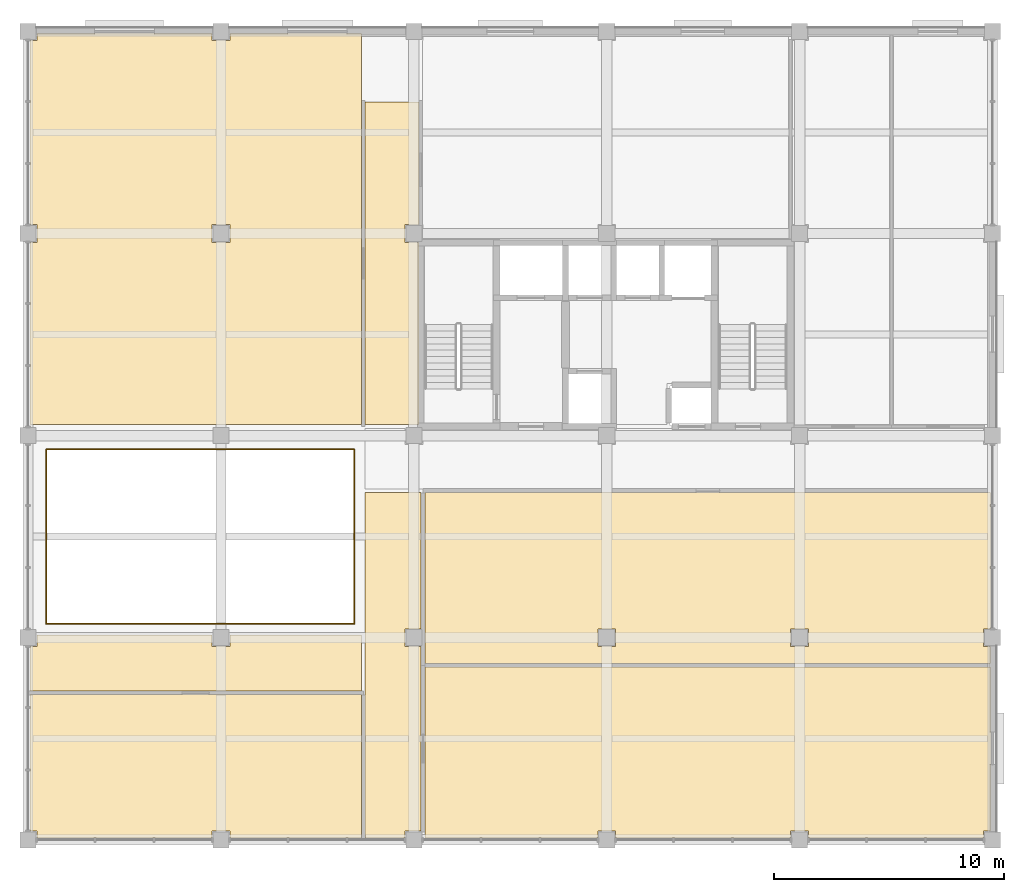
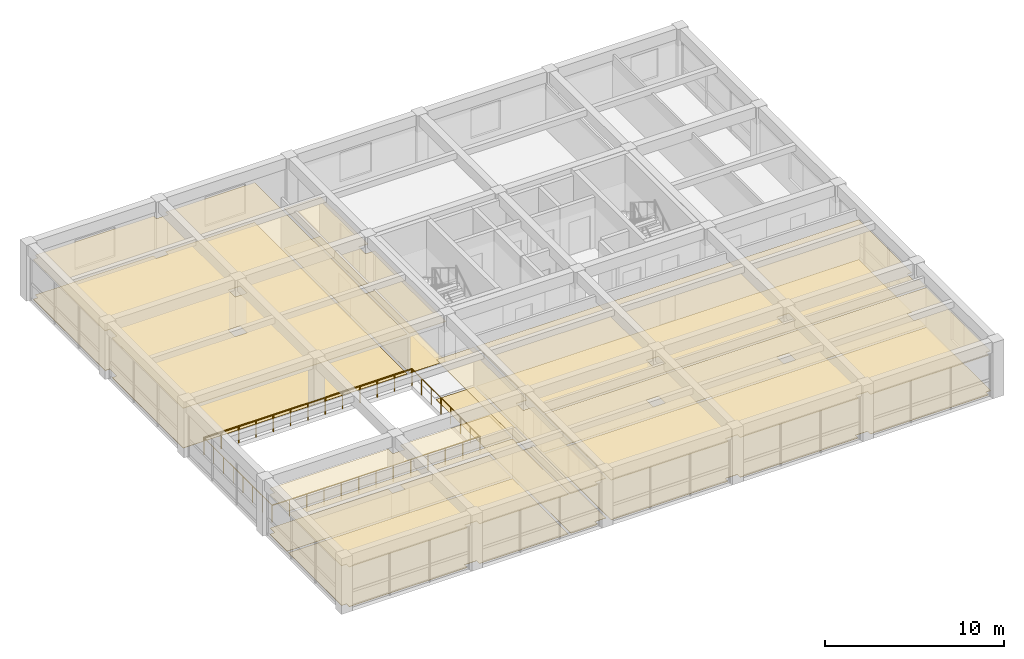
# One storey, part 11 of 13: 14 coverings, 4 railings.
"""IFC4 building model written with IfcOpenShell, lengths in metres."""

import ifcopenshell
import ifcopenshell.guid

model = None  # the IFC model being written
_history = None  # IfcOwnerHistory: only IFC2X3 demands one
_inside = {}  # id of a spatial element -> (the spatial element, [elements in it])
_under = {}  # id of a project, library or spatial element -> (it, [spatial elements below it])
_declared = {}  # id of a project -> (the project, [libraries it declares])
_typed = {}  # id of a type object -> (the type object, [elements of that type])
_made_of = {}  # id of a material, layer set ... -> (it, [elements and type objects made of it])


def new_model(schema):
    """Start an empty IFC model of exactly this schema.

    Asked for "IFC4X3", IfcOpenShell would pick the latest addendum, in which some entities
    have other attributes; the version numbers below select the first issue.
    IFC2X3 requires an IfcOwnerHistory on every rooted entity: one is made here for all.
    """
    global model, _history
    if schema == "IFC4X3":
        model = ifcopenshell.file(schema_version=(4, 3, 0, 0))
    else:
        model = ifcopenshell.file(schema=schema)
    _inside.clear()
    _under.clear()
    _declared.clear()
    _typed.clear()
    _made_of.clear()
    _history = None
    if model.schema == "IFC2X3":
        org = make("IfcOrganization", Name="unknown")
        user = make(
            "IfcPersonAndOrganization",
            ThePerson=make("IfcPerson", FamilyName="unknown"),
            TheOrganization=org,
        )
        app = make(
            "IfcApplication",
            ApplicationDeveloper=org,
            Version="unknown",
            ApplicationFullName="unknown",
            ApplicationIdentifier="unknown",
        )
        _history = make(
            "IfcOwnerHistory",
            OwningUser=user,
            OwningApplication=app,
            ChangeAction="ADDED",
            CreationDate=0,
        )
    return model


def make(cls, **values):
    """One entity of the class cls with the attributes given. An attribute that is None is left unset."""
    return model.create_entity(
        cls, **{name: value for name, value in values.items() if value is not None}
    )


def rooted(cls, **values):
    """An entity with a GlobalId (a new one), such as an element, a storey or a relation."""
    return make(cls, GlobalId=ifcopenshell.guid.new(), OwnerHistory=_history, **values)


def si_unit(unit_type, name, prefix=None):
    """IfcSIUnit, for example si_unit("LENGTHUNIT", "METRE", prefix="MILLI")."""
    return make("IfcSIUnit", UnitType=unit_type, Prefix=prefix, Name=name)


def assignment(units):
    """IfcUnitAssignment: the units of a project."""
    return None if units is None else make("IfcUnitAssignment", Units=units)


def point(xyz):
    """IfcCartesianPoint."""
    return None if xyz is None else make("IfcCartesianPoint", Coordinates=xyz)


def direction(xyz):
    """IfcDirection."""
    return None if xyz is None else make("IfcDirection", DirectionRatios=xyz)


def frame(location, z_axis=None, x_axis=None):
    """IfcAxis2Placement3D, a coordinate frame: its origin and axes. An axis left out is left unset."""
    return make(
        "IfcAxis2Placement3D",
        Location=point(location),
        Axis=direction(z_axis),
        RefDirection=direction(x_axis),
    )


def frame_2d(location, x_axis=None):
    """IfcAxis2Placement2D, a coordinate frame in the plane: its origin and x axis."""
    return make(
        "IfcAxis2Placement2D", Location=point(location), RefDirection=direction(x_axis)
    )


def origin():
    """The frame at (0, 0, 0) with its axes left unset."""
    return frame((0.0, 0.0, 0.0))


def origin_2d():
    """The frame at (0, 0) in the plane with its x axis left unset."""
    return frame_2d((0.0, 0.0))


def place(relative_to, where):
    """IfcLocalPlacement: puts the frame where relative to a parent placement (None: the world)."""
    return make(
        "IfcLocalPlacement", PlacementRelTo=relative_to, RelativePlacement=where
    )


def context(
    kind, dimensions, precision=None, world=None, true_north=None, identifier=None
):
    """IfcGeometricRepresentationContext, for example the 3D "Model" context."""
    return make(
        "IfcGeometricRepresentationContext",
        ContextIdentifier=identifier,
        ContextType=kind,
        CoordinateSpaceDimension=dimensions,
        Precision=precision,
        WorldCoordinateSystem=world,
        TrueNorth=true_north,
    )


def subcontext(parent, identifier, kind, view, scale=None):
    """IfcGeometricRepresentationSubContext, for example "Body" below "Model"."""
    return make(
        "IfcGeometricRepresentationSubContext",
        ContextIdentifier=identifier,
        ContextType=kind,
        ParentContext=parent,
        TargetScale=scale,
        TargetView=view,
    )


def project(units=None, contexts=None):
    """IfcProject with its units and contexts."""
    return rooted(
        "IfcProject",
        Name="project",
        RepresentationContexts=contexts,
        UnitsInContext=assignment(units),
    )


def spatial(cls, under=None, at=None, **own):
    """A site, building, storey or space (cls), placed at a placement, below another one or the project."""
    s = rooted(cls, ObjectPlacement=at, **own)
    if under is not None:
        _under.setdefault(under.id(), (under, []))[1].append(s)
    return s


def polyline(points):
    """IfcPolyline through the points."""
    return make("IfcPolyline", Points=[point(p) for p in points])


def profile(cls, at=None, kind="AREA", **sizes):
    """A parametric profile (cls). Its sizes go by their IFC names, for example OverallWidth=200.0."""
    return make(cls, ProfileType=kind, Position=at, **sizes)


def circle(**sizes):
    """IfcCircleProfileDef."""
    return profile("IfcCircleProfileDef", **sizes)


def outline(outer, holes=None, kind="AREA"):
    """IfcArbitraryClosedProfileDef: a profile drawn as a closed curve; with holes, ...WithVoids."""
    if holes is None:
        return make("IfcArbitraryClosedProfileDef", ProfileType=kind, OuterCurve=outer)
    return make(
        "IfcArbitraryProfileDefWithVoids",
        ProfileType=kind,
        OuterCurve=outer,
        InnerCurves=holes,
    )


def extrude(swept, where, along, depth):
    """IfcExtrudedAreaSolid: the profile swept, set in the frame where, extruded along a direction by depth."""
    return make(
        "IfcExtrudedAreaSolid",
        SweptArea=swept,
        Position=where,
        ExtrudedDirection=direction(along),
        Depth=depth,
    )


def shape(context_of_items, identifier, shape_type, items):
    """IfcShapeRepresentation: the items that make up one representation, for example the "Body"."""
    return make(
        "IfcShapeRepresentation",
        ContextOfItems=context_of_items,
        RepresentationIdentifier=identifier,
        RepresentationType=shape_type,
        Items=items,
    )


def material(Name=None, Category=None):
    """IfcMaterial."""
    return make("IfcMaterial", Name=Name, Category=Category)


def layer(
    of_material, thickness, ventilated=None, Name=None, Category=None, Priority=None
):
    """IfcMaterialLayer: one layer of a wall or slab, of a material (None: an air gap)."""
    return make(
        "IfcMaterialLayer",
        Material=of_material,
        LayerThickness=thickness,
        IsVentilated=ventilated,
        Name=Name,
        Category=Category,
        Priority=Priority,
    )


def layer_set(layers, Name=None):
    """IfcMaterialLayerSet."""
    return make("IfcMaterialLayerSet", MaterialLayers=layers, LayerSetName=Name)


def made_of(thing, what):
    """Note that an element or type object is made of a material, layer set ...; save() writes the relation."""
    if what is not None:
        _made_of.setdefault(what.id(), (what, []))[1].append(thing)
    return thing


def type_object(cls, material=None, **own):
    """A type object (cls), such as IfcWallType, which elements share."""
    return made_of(rooted(cls, **own), material)


def element(
    cls,
    number,
    at=None,
    inside=None,
    cuts=None,
    type_object=None,
    material=None,
    context=None,
    identifier="Body",
    shape_type=None,
    held_by="IfcProductDefinitionShape",
    body=None,
    shapes=None,
    **own,
):
    """One element of the class cls, such as IfcWall. Its Tag is "e" and its number.

    at: its placement. inside: the storey or other place that contains it. cuts: it is an
    opening in that element (IfcRelVoidsElement). A single representation is given by context,
    identifier, shape_type and body (its items); several are given by shapes. held_by: the class
    of the entity that holds the representations. save() writes the other relations.
    """
    e = rooted(cls, Tag="e%d" % number, ObjectPlacement=at, **own)
    if body is not None:
        shapes = [shape(context, identifier, shape_type, body)]
    if shapes is not None:
        e.Representation = make(held_by, Representations=shapes)
    if inside is not None:
        _inside.setdefault(inside.id(), (inside, []))[1].append(e)
    if cuts is not None:
        rooted(
            "IfcRelVoidsElement", RelatingBuildingElement=cuts, RelatedOpeningElement=e
        )
    if type_object is not None:
        _typed.setdefault(type_object.id(), (type_object, []))[1].append(e)
    return made_of(e, material)


def aggregate(whole, parts):
    """IfcRelAggregates: a whole, such as a stair, and the parts it consists of."""
    return rooted("IfcRelAggregates", RelatingObject=whole, RelatedObjects=parts)


def save(model, path):
    """Write the relations noted so far, then the file.

    IfcRelAggregates (storeys below a building ...), IfcRelContainedInSpatialStructure (elements
    in a storey), IfcRelDefinesByType, IfcRelAssociatesMaterial and IfcRelDeclares: one each for
    every whole, place, type object, material and project.
    """
    for whole, parts in _under.values():
        aggregate(whole, parts)
    for where, things in _inside.values():
        rooted(
            "IfcRelContainedInSpatialStructure",
            RelatedElements=things,
            RelatingStructure=where,
        )
    for kind, things in _typed.values():
        rooted("IfcRelDefinesByType", RelatedObjects=things, RelatingType=kind)
    for what, things in _made_of.values():
        rooted("IfcRelAssociatesMaterial", RelatedObjects=things, RelatingMaterial=what)
    for by, libraries in _declared.values():
        rooted("IfcRelDeclares", RelatingContext=by, RelatedDefinitions=libraries)
    model.write(path)


model = new_model("IFC4")

# Units and contexts
model_context = context("Model", 3, precision=1e-05, world=origin(), true_north=direction((0.0, 1.0)))
body_context = subcontext(model_context, "Body", "Model", "MODEL_VIEW")
ifc_project = project(units=[si_unit("LENGTHUNIT", "METRE"), si_unit("AREAUNIT", "SQUARE_METRE"), si_unit("VOLUMEUNIT", "CUBIC_METRE"), si_unit("PLANEANGLEUNIT", "RADIAN"), si_unit("MASSUNIT", "GRAM", prefix="KILO")], contexts=[model_context])

# Site, building, storey
site_placement = place(None, origin())
site = spatial("IfcSite", under=ifc_project, at=site_placement, CompositionType="ELEMENT")
building_placement = place(site_placement, origin())
building = spatial("IfcBuilding", under=site, at=building_placement, Name="Kemercrest Conservatory and Botanical Centre", CompositionType="ELEMENT")
storey_placement = place(building_placement, frame((0.0, 0.0, 40.60009765625)))
storey = spatial("IfcBuildingStorey", under=building, at=storey_placement, Name="L10", CompositionType="ELEMENT", Elevation=40.60009765625)

# Coverings
ifc_material_1 = material(Name="Perforated acoustic gypsum and mineral-fibre suspended ceiling", Category="gypsum")
ifc_layer_1 = layer(ifc_material_1, 0.034912109375)
ifc_layer_set_1 = layer_set([ifc_layer_1], Name="Perforated acoustic gypsum and mineral-fibre suspended ceiling")
covering_type_1 = type_object("IfcCoveringType", Name="CV-CLG035", PredefinedType="CEILING", material=ifc_layer_set_1)
covering_1_placement = place(storey_placement, frame((0.0, 0.0, 2.699951171875)))
element("IfcCovering", 1, at=covering_1_placement, inside=storey, type_object=covering_type_1, Name="South Atrium Walkway suspended acoustic ceiling", PredefinedType="CEILING", context=body_context, shape_type="SweptSolid", body=[
    extrude(outline(polyline([(134.080078125, 93.679931640625), (148.52001953125, 93.679931640625), (148.52001953125, 96.1201171875), (142.7900390625, 96.1201171875), (142.7900390625, 95.610107421875), (142.010009765625, 95.610107421875), (142.010009765625, 96.1201171875), (134.389892578125, 96.1201171875), (134.389892578125, 95.610107421875), (134.080078125, 95.610107421875), (134.080078125, 93.679931640625)])), origin(), (0.0, 0.0, 1.0), 0.034912109375),
])
covering_2_placement = place(storey_placement, frame((0.0, 0.0, 2.699951171875)))
element("IfcCovering", 2, at=covering_2_placement, inside=storey, type_object=covering_type_1, Name="Atrium Bridge Corridor suspended acoustic ceiling", PredefinedType="CEILING", context=body_context, shape_type="SweptSolid", body=[
    extrude(outline(polyline([(148.679931640625, 87.280029296875), (150.409912109375, 87.280029296875), (150.409912109375, 87.590087890625), (151.1201171875, 87.590087890625), (151.1201171875, 95.610107421875), (150.409912109375, 95.610107421875), (150.409912109375, 96.389892578125), (151.1201171875, 96.389892578125), (151.1201171875, 102.320068359375), (148.679931640625, 102.320068359375), (148.679931640625, 87.280029296875)])), origin(), (0.0, 0.0, 1.0), 0.034912109375),
])
covering_3_placement = place(storey_placement, frame((0.0, 0.0, 2.699951171875)))
element("IfcCovering", 3, at=covering_3_placement, inside=storey, type_object=covering_type_1, Name="Proteomics Research Laboratory suspended acoustic ceiling", PredefinedType="CEILING", context=body_context, shape_type="SweptSolid", body=[
    extrude(outline(polyline([(142.7900390625, 87.280029296875), (148.52001953125, 87.280029296875), (148.52001953125, 93.52001953125), (134.080078125, 93.52001953125), (134.080078125, 87.590087890625), (134.389892578125, 87.590087890625), (134.389892578125, 87.280029296875), (142.010009765625, 87.280029296875), (142.010009765625, 87.590087890625), (142.7900390625, 87.590087890625), (142.7900390625, 87.280029296875)])), origin(), (0.0, 0.0, 1.0), 0.034912109375),
])
covering_4_placement = place(storey_placement, frame((0.0, 0.0, 2.699951171875)))
element("IfcCovering", 4, at=covering_4_placement, inside=storey, type_object=covering_type_1, Name="Fluorescence Microscopy Laboratory suspended acoustic ceiling", PredefinedType="CEILING", context=body_context, shape_type="SweptSolid", body=[
    extrude(outline(polyline([(175.919921875, 102.320068359375), (151.280029296875, 102.320068359375), (151.280029296875, 94.8798828125), (175.919921875, 94.8798828125), (175.919921875, 95.610107421875), (175.610107421875, 95.610107421875), (175.610107421875, 96.389892578125), (175.919921875, 96.389892578125), (175.919921875, 102.320068359375)]), holes=[polyline([(167.2099609375, 96.389892578125), (167.989990234375, 96.389892578125), (167.989990234375, 95.610107421875), (167.2099609375, 95.610107421875), (167.2099609375, 96.389892578125)]), polyline([(158.81005859375, 96.389892578125), (159.590087890625, 96.389892578125), (159.590087890625, 95.610107421875), (158.81005859375, 95.610107421875), (158.81005859375, 96.389892578125)])]), origin(), (0.0, 0.0, 1.0), 0.034912109375),
])
covering_5_placement = place(storey_placement, frame((0.0, 0.0, 2.699951171875)))
element("IfcCovering", 5, at=covering_5_placement, inside=storey, type_object=covering_type_1, Name="Cell Sorting Laboratory suspended acoustic ceiling", PredefinedType="CEILING", context=body_context, shape_type="SweptSolid", body=[
    extrude(outline(polyline([(167.989990234375, 87.280029296875), (175.610107421875, 87.280029296875), (175.610107421875, 87.590087890625), (175.919921875, 87.590087890625), (175.919921875, 94.719970703125), (151.280029296875, 94.719970703125), (151.280029296875, 87.280029296875), (158.81005859375, 87.280029296875), (158.81005859375, 87.590087890625), (159.590087890625, 87.590087890625), (159.590087890625, 87.280029296875), (167.2099609375, 87.280029296875), (167.2099609375, 87.590087890625), (167.989990234375, 87.590087890625), (167.989990234375, 87.280029296875)])), origin(), (0.0, 0.0, 1.0), 0.034912109375),
])
covering_6_placement = place(storey_placement, frame((0.0, 0.0, 2.699951171875)))
element("IfcCovering", 6, at=covering_6_placement, inside=storey, type_object=covering_type_1, Name="Computational Ecology Studio suspended acoustic ceiling", PredefinedType="CEILING", context=body_context, shape_type="SweptSolid", body=[
    extrude(outline(polyline([(134.389892578125, 113.2099609375), (134.080078125, 113.2099609375), (134.080078125, 105.280029296875), (148.52001953125, 105.280029296875), (148.52001953125, 122.320068359375), (142.7900390625, 122.320068359375), (142.7900390625, 122.010009765625), (142.010009765625, 122.010009765625), (142.010009765625, 122.320068359375), (134.389892578125, 122.320068359375), (134.389892578125, 122.010009765625), (134.080078125, 122.010009765625), (134.080078125, 113.989990234375), (134.389892578125, 113.989990234375), (134.389892578125, 113.2099609375)]), holes=[polyline([(142.010009765625, 113.989990234375), (142.7900390625, 113.989990234375), (142.7900390625, 113.2099609375), (142.010009765625, 113.2099609375), (142.010009765625, 113.989990234375)])]), origin(), (0.0, 0.0, 1.0), 0.034912109375),
])
covering_7_placement = place(storey_placement, frame((0.0, 0.0, 2.699951171875)))
element("IfcCovering", 7, at=covering_7_placement, inside=storey, type_object=covering_type_1, Name="North Core Lobby Branch suspended acoustic ceiling", PredefinedType="CEILING", context=body_context, shape_type="SweptSolid", body=[
    extrude(outline(polyline([(148.679931640625, 105.280029296875), (151.02001953125, 105.280029296875), (151.02001953125, 113.2099609375), (150.409912109375, 113.2099609375), (150.409912109375, 113.989990234375), (151.02001953125, 113.989990234375), (151.02001953125, 119.320068359375), (148.679931640625, 119.320068359375), (148.679931640625, 105.280029296875)])), origin(), (0.0, 0.0, 1.0), 0.034912109375),
])
ifc_material_2 = material(Name="Polished limestone terrazzo and seamless laboratory epoxy flooring", Category="masonry")
ifc_layer_2 = layer(ifc_material_2, 0.02001953125)
ifc_layer_set_2 = layer_set([ifc_layer_2], Name="Polished limestone terrazzo and seamless laboratory epoxy flooring")
covering_type_2 = type_object("IfcCoveringType", Name="CV-FLR020", PredefinedType="FLOORING", material=ifc_layer_set_2)
covering_8_placement = place(storey_placement, origin())
element("IfcCovering", 8, at=covering_8_placement, inside=storey, type_object=covering_type_2, Name="South Atrium Walkway floor finish", PredefinedType="FLOORING", context=body_context, shape_type="SweptSolid", body=[
    extrude(outline(polyline([(134.080078125, 93.679931640625), (148.52001953125, 93.679931640625), (148.52001953125, 96.1201171875), (142.7900390625, 96.1201171875), (142.7900390625, 95.610107421875), (142.010009765625, 95.610107421875), (142.010009765625, 96.1201171875), (134.389892578125, 96.1201171875), (134.389892578125, 95.610107421875), (134.080078125, 95.610107421875), (134.080078125, 93.679931640625)])), origin(), (0.0, 0.0, 1.0), 0.02001953125),
])
covering_9_placement = place(storey_placement, origin())
element("IfcCovering", 9, at=covering_9_placement, inside=storey, type_object=covering_type_2, Name="Atrium Bridge Corridor floor finish", PredefinedType="FLOORING", context=body_context, shape_type="SweptSolid", body=[
    extrude(outline(polyline([(148.679931640625, 87.280029296875), (150.409912109375, 87.280029296875), (150.409912109375, 87.590087890625), (151.1201171875, 87.590087890625), (151.1201171875, 95.610107421875), (150.409912109375, 95.610107421875), (150.409912109375, 96.389892578125), (151.1201171875, 96.389892578125), (151.1201171875, 102.320068359375), (148.679931640625, 102.320068359375), (148.679931640625, 87.280029296875)])), origin(), (0.0, 0.0, 1.0), 0.02001953125),
])
covering_10_placement = place(storey_placement, origin())
element("IfcCovering", 10, at=covering_10_placement, inside=storey, type_object=covering_type_2, Name="Proteomics Research Laboratory floor finish", PredefinedType="FLOORING", context=body_context, shape_type="SweptSolid", body=[
    extrude(outline(polyline([(142.7900390625, 87.280029296875), (148.52001953125, 87.280029296875), (148.52001953125, 93.52001953125), (134.080078125, 93.52001953125), (134.080078125, 87.590087890625), (134.389892578125, 87.590087890625), (134.389892578125, 87.280029296875), (142.010009765625, 87.280029296875), (142.010009765625, 87.590087890625), (142.7900390625, 87.590087890625), (142.7900390625, 87.280029296875)])), origin(), (0.0, 0.0, 1.0), 0.02001953125),
])
covering_11_placement = place(storey_placement, origin())
element("IfcCovering", 11, at=covering_11_placement, inside=storey, type_object=covering_type_2, Name="Fluorescence Microscopy Laboratory floor finish", PredefinedType="FLOORING", context=body_context, shape_type="SweptSolid", body=[
    extrude(outline(polyline([(175.919921875, 102.320068359375), (151.280029296875, 102.320068359375), (151.280029296875, 94.8798828125), (175.919921875, 94.8798828125), (175.919921875, 95.610107421875), (175.610107421875, 95.610107421875), (175.610107421875, 96.389892578125), (175.919921875, 96.389892578125), (175.919921875, 102.320068359375)]), holes=[polyline([(167.2099609375, 96.389892578125), (167.989990234375, 96.389892578125), (167.989990234375, 95.610107421875), (167.2099609375, 95.610107421875), (167.2099609375, 96.389892578125)]), polyline([(158.81005859375, 96.389892578125), (159.590087890625, 96.389892578125), (159.590087890625, 95.610107421875), (158.81005859375, 95.610107421875), (158.81005859375, 96.389892578125)])]), origin(), (0.0, 0.0, 1.0), 0.02001953125),
])
covering_12_placement = place(storey_placement, origin())
element("IfcCovering", 12, at=covering_12_placement, inside=storey, type_object=covering_type_2, Name="Cell Sorting Laboratory floor finish", PredefinedType="FLOORING", context=body_context, shape_type="SweptSolid", body=[
    extrude(outline(polyline([(167.989990234375, 87.280029296875), (175.610107421875, 87.280029296875), (175.610107421875, 87.590087890625), (175.919921875, 87.590087890625), (175.919921875, 94.719970703125), (151.280029296875, 94.719970703125), (151.280029296875, 87.280029296875), (158.81005859375, 87.280029296875), (158.81005859375, 87.590087890625), (159.590087890625, 87.590087890625), (159.590087890625, 87.280029296875), (167.2099609375, 87.280029296875), (167.2099609375, 87.590087890625), (167.989990234375, 87.590087890625), (167.989990234375, 87.280029296875)])), origin(), (0.0, 0.0, 1.0), 0.02001953125),
])
covering_13_placement = place(storey_placement, origin())
element("IfcCovering", 13, at=covering_13_placement, inside=storey, type_object=covering_type_2, Name="Computational Ecology Studio floor finish", PredefinedType="FLOORING", context=body_context, shape_type="SweptSolid", body=[
    extrude(outline(polyline([(134.389892578125, 113.2099609375), (134.080078125, 113.2099609375), (134.080078125, 105.280029296875), (148.52001953125, 105.280029296875), (148.52001953125, 122.320068359375), (142.7900390625, 122.320068359375), (142.7900390625, 122.010009765625), (142.010009765625, 122.010009765625), (142.010009765625, 122.320068359375), (134.389892578125, 122.320068359375), (134.389892578125, 122.010009765625), (134.080078125, 122.010009765625), (134.080078125, 113.989990234375), (134.389892578125, 113.989990234375), (134.389892578125, 113.2099609375)]), holes=[polyline([(142.010009765625, 113.989990234375), (142.7900390625, 113.989990234375), (142.7900390625, 113.2099609375), (142.010009765625, 113.2099609375), (142.010009765625, 113.989990234375)])]), origin(), (0.0, 0.0, 1.0), 0.02001953125),
])
covering_14_placement = place(storey_placement, origin())
element("IfcCovering", 14, at=covering_14_placement, inside=storey, type_object=covering_type_2, Name="North Core Lobby Branch floor finish", PredefinedType="FLOORING", context=body_context, shape_type="SweptSolid", body=[
    extrude(outline(polyline([(148.679931640625, 105.280029296875), (151.02001953125, 105.280029296875), (151.02001953125, 113.2099609375), (150.409912109375, 113.2099609375), (150.409912109375, 113.989990234375), (151.02001953125, 113.989990234375), (151.02001953125, 119.320068359375), (148.679931640625, 119.320068359375), (148.679931640625, 105.280029296875)])), origin(), (0.0, 0.0, 1.0), 0.02001953125),
])

# Railings
ifc_material_3 = material(Name="Architectural bronze-anodized steel balustrade", Category="steel")
railing_type = type_object("IfcRailingType", Name="GR-VOI115", PredefinedType="GUARDRAIL", material=ifc_material_3)
railing_1_placement = place(storey_placement, frame((134.800048828125, 96.60009765625, 0.0)))
element("IfcRailing", 15, at=railing_1_placement, inside=storey, type_object=railing_type, Name="Safety guardrail GR-VOI115 (V4-L10ATR-1)", PredefinedType="GUARDRAIL", context=body_context, shape_type="SweptSolid", body=[
    extrude(circle(Radius=0.02392578125, at=origin_2d()), frame((0.0, 0.0, 1.1259765625), z_axis=(1.0, 0.0, 0.0), x_axis=(0.0, 1.0, 0.0)), (0.0, 0.0, 1.0), 13.39990234375),
    extrude(circle(Radius=0.02099609375, at=origin_2d()), origin(), (0.0, 0.0, 1.0), 1.101806640625),
    extrude(circle(Radius=0.02099609375, at=origin_2d()), frame((1.11669921875, 0.0, 0.0)), (0.0, 0.0, 1.0), 1.101806640625),
    extrude(circle(Radius=0.02099609375, at=origin_2d()), frame((2.2333984375, 0.0, 0.0)), (0.0, 0.0, 1.0), 1.101806640625),
    extrude(circle(Radius=0.02099609375, at=origin_2d()), frame((3.35009765625, 0.0, 0.0)), (0.0, 0.0, 1.0), 1.101806640625),
    extrude(circle(Radius=0.02099609375, at=origin_2d()), frame((4.466552734375, 0.0, 0.0)), (0.0, 0.0, 1.0), 1.101806640625),
    extrude(circle(Radius=0.02099609375, at=origin_2d()), frame((5.583251953125, 0.0, 0.0)), (0.0, 0.0, 1.0), 1.101806640625),
    extrude(circle(Radius=0.02099609375, at=origin_2d()), frame((6.699951171875, 0.0, 0.0)), (0.0, 0.0, 1.0), 1.101806640625),
    extrude(circle(Radius=0.02099609375, at=origin_2d()), frame((7.816650390625, 0.0, 0.0)), (0.0, 0.0, 1.0), 1.101806640625),
    extrude(circle(Radius=0.02099609375, at=origin_2d()), frame((8.933349609375, 0.0, 0.0)), (0.0, 0.0, 1.0), 1.101806640625),
    extrude(circle(Radius=0.02099609375, at=origin_2d()), frame((10.0498046875, 0.0, 0.0)), (0.0, 0.0, 1.0), 1.101806640625),
    extrude(circle(Radius=0.02099609375, at=origin_2d()), frame((11.16650390625, 0.0, 0.0)), (0.0, 0.0, 1.0), 1.101806640625),
    extrude(circle(Radius=0.02099609375, at=origin_2d()), frame((12.283203125, 0.0, 0.0)), (0.0, 0.0, 1.0), 1.101806640625),
    extrude(circle(Radius=0.02099609375, at=origin_2d()), frame((13.39990234375, 0.0, 0.0)), (0.0, 0.0, 1.0), 1.101806640625),
])
railing_2_placement = place(storey_placement, frame((148.199951171875, 96.60009765625, 0.0)))
element("IfcRailing", 16, at=railing_2_placement, inside=storey, type_object=railing_type, Name="Safety guardrail GR-VOI115 (V4-L10ATR-2)", PredefinedType="GUARDRAIL", context=body_context, shape_type="SweptSolid", body=[
    extrude(circle(Radius=0.02392578125, at=origin_2d()), frame((0.0, 0.0, 1.1259765625), z_axis=(0.0, 1.0, 0.0), x_axis=(-1.0, 0.0, 0.0)), (0.0, 0.0, 1.0), 7.599853515625),
    extrude(circle(Radius=0.02099609375, at=origin_2d()), origin(), (0.0, 0.0, 1.0), 1.101806640625),
    extrude(circle(Radius=0.02099609375, at=origin_2d()), frame((0.0, 1.085693359375, 0.0)), (0.0, 0.0, 1.0), 1.101806640625),
    extrude(circle(Radius=0.02099609375, at=origin_2d()), frame((0.0, 2.17138671875, 0.0)), (0.0, 0.0, 1.0), 1.101806640625),
    extrude(circle(Radius=0.02099609375, at=origin_2d()), frame((0.0, 3.257080078125, 0.0)), (0.0, 0.0, 1.0), 1.101806640625),
    extrude(circle(Radius=0.02099609375, at=origin_2d()), frame((0.0, 4.3427734375, 0.0)), (0.0, 0.0, 1.0), 1.101806640625),
    extrude(circle(Radius=0.02099609375, at=origin_2d()), frame((0.0, 5.428466796875, 0.0)), (0.0, 0.0, 1.0), 1.101806640625),
    extrude(circle(Radius=0.02099609375, at=origin_2d()), frame((0.0, 6.51416015625, 0.0)), (0.0, 0.0, 1.0), 1.101806640625),
    extrude(circle(Radius=0.02099609375, at=origin_2d()), frame((0.0, 7.599853515625, 0.0)), (0.0, 0.0, 1.0), 1.101806640625),
])
railing_3_placement = place(storey_placement, frame((148.199951171875, 104.199951171875, 0.0)))
element("IfcRailing", 17, at=railing_3_placement, inside=storey, type_object=railing_type, Name="Safety guardrail GR-VOI115 (V4-L10ATR-3)", PredefinedType="GUARDRAIL", context=body_context, shape_type="SweptSolid", body=[
    extrude(circle(Radius=0.02392578125, at=origin_2d()), frame((0.0, 0.0, 1.1259765625), z_axis=(-1.0, 0.0, 0.0), x_axis=(0.0, -1.0, 0.0)), (0.0, 0.0, 1.0), 13.39990234375),
    extrude(circle(Radius=0.02099609375, at=origin_2d()), origin(), (0.0, 0.0, 1.0), 1.101806640625),
    extrude(circle(Radius=0.02099609375, at=origin_2d()), frame((-1.11669921875, 0.0, 0.0)), (0.0, 0.0, 1.0), 1.101806640625),
    extrude(circle(Radius=0.02099609375, at=origin_2d()), frame((-2.2333984375, 0.0, 0.0)), (0.0, 0.0, 1.0), 1.101806640625),
    extrude(circle(Radius=0.02099609375, at=origin_2d()), frame((-3.35009765625, 0.0, 0.0)), (0.0, 0.0, 1.0), 1.101806640625),
    extrude(circle(Radius=0.02099609375, at=origin_2d()), frame((-4.466552734375, 0.0, 0.0)), (0.0, 0.0, 1.0), 1.101806640625),
    extrude(circle(Radius=0.02099609375, at=origin_2d()), frame((-5.583251953125, 0.0, 0.0)), (0.0, 0.0, 1.0), 1.101806640625),
    extrude(circle(Radius=0.02099609375, at=origin_2d()), frame((-6.699951171875, 0.0, 0.0)), (0.0, 0.0, 1.0), 1.101806640625),
    extrude(circle(Radius=0.02099609375, at=origin_2d()), frame((-7.816650390625, 0.0, 0.0)), (0.0, 0.0, 1.0), 1.101806640625),
    extrude(circle(Radius=0.02099609375, at=origin_2d()), frame((-8.933349609375, 0.0, 0.0)), (0.0, 0.0, 1.0), 1.101806640625),
    extrude(circle(Radius=0.02099609375, at=origin_2d()), frame((-10.0498046875, 0.0, 0.0)), (0.0, 0.0, 1.0), 1.101806640625),
    extrude(circle(Radius=0.02099609375, at=origin_2d()), frame((-11.16650390625, 0.0, 0.0)), (0.0, 0.0, 1.0), 1.101806640625),
    extrude(circle(Radius=0.02099609375, at=origin_2d()), frame((-12.283203125, 0.0, 0.0)), (0.0, 0.0, 1.0), 1.101806640625),
    extrude(circle(Radius=0.02099609375, at=origin_2d()), frame((-13.39990234375, 0.0, 0.0)), (0.0, 0.0, 1.0), 1.101806640625),
])
railing_4_placement = place(storey_placement, frame((134.800048828125, 104.199951171875, 0.0)))
element("IfcRailing", 18, at=railing_4_placement, inside=storey, type_object=railing_type, Name="Safety guardrail GR-VOI115 (V4-L10ATR-4)", PredefinedType="GUARDRAIL", context=body_context, shape_type="SweptSolid", body=[
    extrude(circle(Radius=0.02392578125, at=origin_2d()), frame((0.0, 0.0, 1.1259765625), z_axis=(0.0, -1.0, 0.0), x_axis=(1.0, 0.0, 0.0)), (0.0, 0.0, 1.0), 7.599853515625),
    extrude(circle(Radius=0.02099609375, at=origin_2d()), origin(), (0.0, 0.0, 1.0), 1.101806640625),
    extrude(circle(Radius=0.02099609375, at=origin_2d()), frame((0.0, -1.085693359375, 0.0)), (0.0, 0.0, 1.0), 1.101806640625),
    extrude(circle(Radius=0.02099609375, at=origin_2d()), frame((0.0, -2.17138671875, 0.0)), (0.0, 0.0, 1.0), 1.101806640625),
    extrude(circle(Radius=0.02099609375, at=origin_2d()), frame((0.0, -3.257080078125, 0.0)), (0.0, 0.0, 1.0), 1.101806640625),
    extrude(circle(Radius=0.02099609375, at=origin_2d()), frame((0.0, -4.3427734375, 0.0)), (0.0, 0.0, 1.0), 1.101806640625),
    extrude(circle(Radius=0.02099609375, at=origin_2d()), frame((0.0, -5.428466796875, 0.0)), (0.0, 0.0, 1.0), 1.101806640625),
    extrude(circle(Radius=0.02099609375, at=origin_2d()), frame((0.0, -6.51416015625, 0.0)), (0.0, 0.0, 1.0), 1.101806640625),
    extrude(circle(Radius=0.02099609375, at=origin_2d()), frame((0.0, -7.599853515625, 0.0)), (0.0, 0.0, 1.0), 1.101806640625),
])

save(model, "model.ifc")
